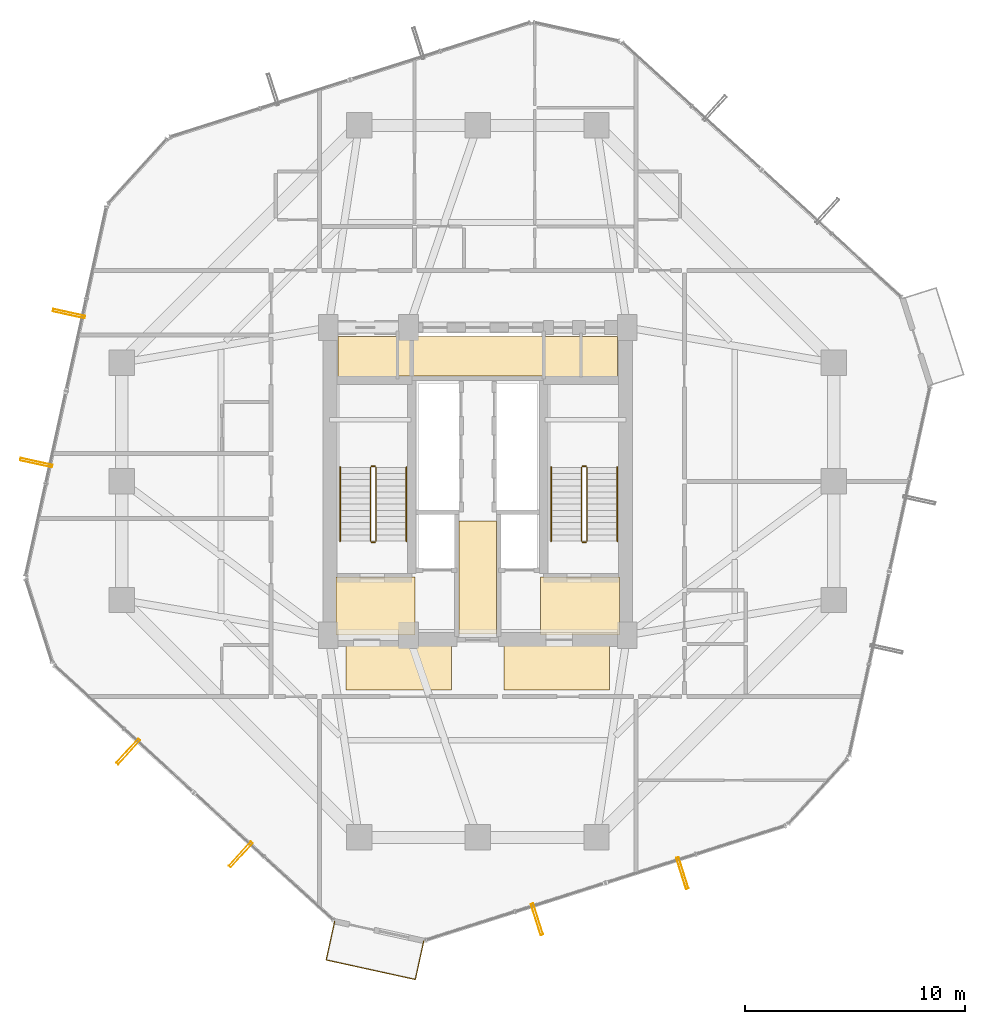
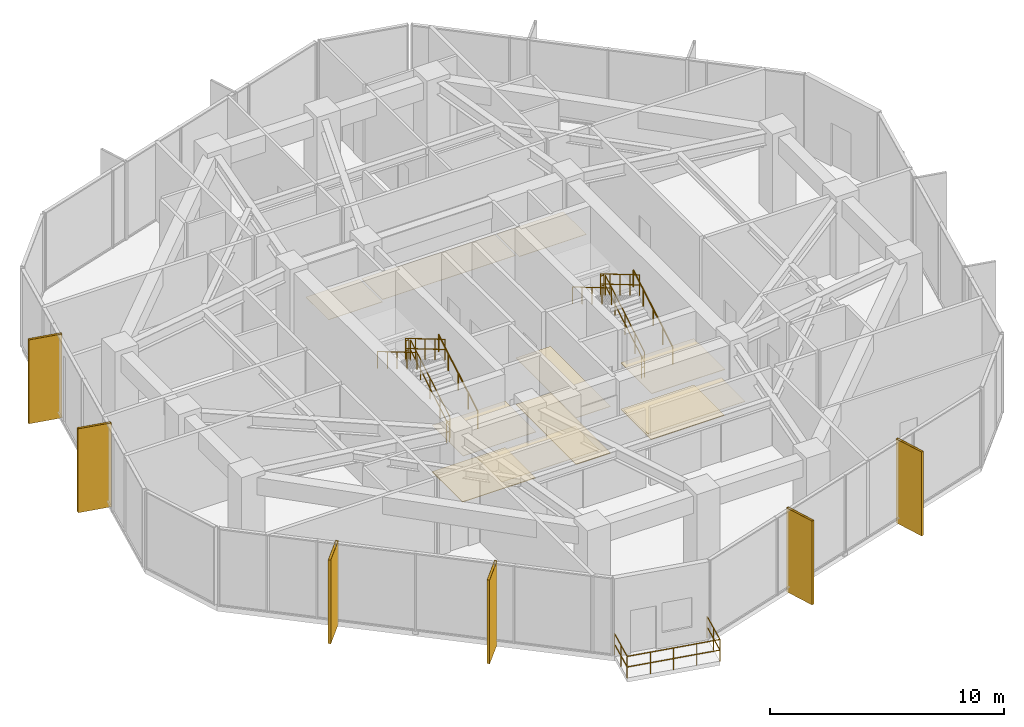
# One storey, part 27 of 28: 13 railings, 11 coverings, 6 shading devices.
"""IFC4 building model written with IfcOpenShell, lengths in metres."""

from ifc_helpers import new_model, si_unit, direction, frame, origin, origin_2d, place, context, subcontext, project, spatial, polyline, hollow_rectangle, circle, outline, extrude, material, layer, layer_set, material_profile, profile_set, type_object, element, save


model = new_model("IFC4")

# Units and contexts
model_context = context("Model", 3, precision=1e-05, world=origin(), true_north=direction((0.0, 1.0)))
body_context = subcontext(model_context, "Body", "Model", "MODEL_VIEW")
ifc_project = project(units=[si_unit("LENGTHUNIT", "METRE"), si_unit("AREAUNIT", "SQUARE_METRE"), si_unit("VOLUMEUNIT", "CUBIC_METRE"), si_unit("PLANEANGLEUNIT", "RADIAN"), si_unit("MASSUNIT", "GRAM", prefix="KILO")], contexts=[model_context])

# Site, building, storey
site_placement = place(None, origin())
site = spatial("IfcSite", under=ifc_project, at=site_placement, CompositionType="ELEMENT")
building_placement = place(site_placement, origin())
building = spatial("IfcBuilding", under=site, at=building_placement, Name="Veraguas Prism Commons", CompositionType="ELEMENT")
storey_placement = place(building_placement, frame((0.0, 0.0, 85.14990234375)))
storey = spatial("IfcBuildingStorey", under=building, at=storey_placement, Name="L23", CompositionType="ELEMENT", Elevation=85.14990234375)

# Shading devices
ifc_material_1 = material(Name="Anodised aluminium EN AW-6063 T6", Category="aluminium")
ifc_material_profile = material_profile(ifc_material_1, hollow_rectangle(XDim=0.1201171875, YDim=1.489990234375, WallThickness=0.006103515625, at=origin_2d()), Name="FIN120X1490X6")
ifc_profile_set = profile_set([ifc_material_profile], Name="Anodised aluminium EN AW-6063 T6")
shading_device_type = type_object("IfcShadingDeviceType", Name="Deep Pale-Metal Vertical Solar Fin 120x1490", PredefinedType="USERDEFINED", material=ifc_profile_set)
for number, where, z_axis, x_axis, name in (
    (1, (5.39453125, 31.63037109375, -0.2998046875), (0.0, 0.0, 1.0), (-0.214050019261, -0.976822701034, 0.0), "Vertical Pale-Metal Solar Fin L23-F3A"),
    (2, (3.90869140625, 24.849365234375, -0.2998046875), (0.0, 0.0, 1.0), (-0.214050019261, -0.976822701034, 0.0), "Vertical Pale-Metal Solar Fin L23-F3B"),
    (3, (8.08935546875, 11.702392578125, -0.2998046875), (0.0, 0.0, 1.0), (0.738924736523, -0.673787973887, 0.0), "Vertical Pale-Metal Solar Fin L23-F4A"),
    (4, (13.21875, 7.025146484375, -0.2998046875), (0.0, 0.0, 1.0), (0.738924736523, -0.673787973887, 0.0), "Vertical Pale-Metal Solar Fin L23-F4B"),
    (5, (26.694580078125, 4.072021484375, -0.2998046875), (0.0, 0.0, 1.0), (0.952978812619, 0.303036932895, 0.0), "Vertical Pale-Metal Solar Fin L23-F5A"),
    (6, (33.31005859375, 6.17578125, -0.2998046875), (0.0, 0.0, 1.0), (0.952978812619, 0.303036932895, 0.0), "Vertical Pale-Metal Solar Fin L23-F5B"),
):
    element("IfcShadingDevice", number, at=place(storey_placement, frame(where, z_axis=z_axis, x_axis=x_axis)), inside=storey, type_object=shading_device_type, Name=name, ObjectType="FIN", PredefinedType="USERDEFINED", context=body_context, shape_type="SweptSolid", body=[
        extrude(hollow_rectangle(XDim=0.1201171875, YDim=1.489990234375, WallThickness=0.006103515625, at=origin_2d()), origin(), (0.0, 0.0, 1.0), 4.369873046875),
    ])

# Coverings
ifc_material_2 = material(Name="Acoustic gypsum board")
ifc_layer_1 = layer(ifc_material_2, 0.02490234375, Name="Perforated Acoustic Ceiling Tile 25")
ifc_layer_set_1 = layer_set([ifc_layer_1], Name="Acoustic gypsum board")
covering_type_1 = type_object("IfcCoveringType", Name="Perforated Acoustic Ceiling Tile 25", PredefinedType="USERDEFINED", material=ifc_layer_set_1)
covering_1_placement = place(storey_placement, frame((0.0, 0.0, 2.425048828125)))
element("IfcCovering", 7, at=covering_1_placement, inside=storey, type_object=covering_type_1, Name="East Lobby Acoustic Ceiling L23", ObjectType="ACOUSTIC CEILING", PredefinedType="USERDEFINED", context=body_context, shape_type="SweptSolid", body=[
    extrude(outline(polyline([(26.85009765625, 17.0), (30.449951171875, 17.0), (30.449951171875, 19.64990234375), (26.85009765625, 19.64990234375), (26.85009765625, 17.0)])), origin(), (0.0, 0.0, 1.0), 0.025146484375),
])
ifc_material_3 = material(Name="Terrazzo stone finish", Category="masonry")
ifc_layer_2 = layer(ifc_material_3, 0.030029296875, Name="Polished Terrazzo Floor Finish 30", Category="masonry")
ifc_layer_set_2 = layer_set([ifc_layer_2], Name="Terrazzo stone finish")
covering_type_2 = type_object("IfcCoveringType", Name="Polished Terrazzo Floor Finish 30", PredefinedType="FLOORING", material=ifc_layer_set_2)
covering_2_placement = place(storey_placement, origin())
element("IfcCovering", 8, at=covering_2_placement, inside=storey, type_object=covering_type_2, Name="Terrazzo Lobby Flooring L23", PredefinedType="FLOORING", context=body_context, shape_type="SweptSolid", body=[
    extrude(outline(polyline([(23.14990234375, 17.050048828125), (24.85009765625, 17.050048828125), (24.85009765625, 22.199951171875), (23.14990234375, 22.199951171875), (23.14990234375, 17.050048828125)])), origin(), (0.0, 0.0, 1.0), 0.030029296875),
])
covering_3_placement = place(storey_placement, origin())
element("IfcCovering", 9, at=covering_3_placement, inside=storey, type_object=covering_type_2, Name="West FF Lobby Terrazzo Flooring L23", PredefinedType="FLOORING", context=body_context, shape_type="SweptSolid", body=[
    extrude(outline(polyline([(17.550048828125, 17.050048828125), (21.14990234375, 17.050048828125), (21.14990234375, 19.64990234375), (17.550048828125, 19.64990234375), (17.550048828125, 17.050048828125)])), origin(), (0.0, 0.0, 1.0), 0.030029296875),
])
covering_4_placement = place(storey_placement, origin())
element("IfcCovering", 10, at=covering_4_placement, inside=storey, type_object=covering_type_2, Name="East FF Lobby Terrazzo Flooring L23", PredefinedType="FLOORING", context=body_context, shape_type="SweptSolid", body=[
    extrude(outline(polyline([(26.85009765625, 17.050048828125), (30.449951171875, 17.050048828125), (30.449951171875, 19.64990234375), (26.85009765625, 19.64990234375), (26.85009765625, 17.050048828125)])), origin(), (0.0, 0.0, 1.0), 0.030029296875),
])

# Railings
ifc_material_4 = material(Name="Stainless steel AISI 316", Category="steel")
railing_type_1 = type_object("IfcRailingType", Name="Setback and Wind Portal Guardrail 1150", PredefinedType="GUARDRAIL", material=ifc_material_4)
railing_1_placement = place(storey_placement, frame((17.48681640625, 3.97900390625, 0.0)))
element("IfcRailing", 11, at=railing_1_placement, inside=storey, type_object=railing_type_1, Name="Setback Sky Terrace L23 Guard", PredefinedType="GUARDRAIL", context=body_context, shape_type="SweptSolid", body=[
    extrude(circle(Radius=0.02392578125, at=origin_2d()), frame((0.0, 0.0, 1.1259765625), z_axis=(-0.214028553775, -0.976827404493, 0.0), x_axis=(0.976827404493, -0.214028553775, 0.0)), (0.0, 0.0, 1.0), 1.800048828125),
    extrude(circle(Radius=0.02392578125, at=origin_2d()), frame((0.0, 0.0, 0.574951171875), z_axis=(-0.214028553775, -0.976827404493, 0.0), x_axis=(0.976827404493, -0.214028553775, 0.0)), (0.0, 0.0, 1.0), 1.800048828125),
    extrude(circle(Radius=0.02392578125, at=origin_2d()), frame((-0.38525390625, -1.75830078125, 1.1259765625), z_axis=(0.976825943724, -0.214035220623, 0.0), x_axis=(0.214035220623, 0.976825943724, 0.0)), (0.0, 0.0, 1.0), 4.153076171875),
    extrude(circle(Radius=0.02392578125, at=origin_2d()), frame((-0.38525390625, -1.75830078125, 0.574951171875), z_axis=(0.976825943724, -0.214035220623, 0.0), x_axis=(0.214035220623, 0.976825943724, 0.0)), (0.0, 0.0, 1.0), 4.153076171875),
    extrude(circle(Radius=0.02392578125, at=origin_2d()), frame((3.671630859375, -2.647216796875, 1.1259765625), z_axis=(0.214028553775, 0.976827404493, 0.0), x_axis=(-0.976827404493, 0.214028553775, 0.0)), (0.0, 0.0, 1.0), 1.800048828125),
    extrude(circle(Radius=0.02392578125, at=origin_2d()), frame((3.671630859375, -2.647216796875, 0.574951171875), z_axis=(0.214028553775, 0.976827404493, 0.0), x_axis=(-0.976827404493, 0.214028553775, 0.0)), (0.0, 0.0, 1.0), 1.800048828125),
    extrude(circle(Radius=0.02099609375, at=origin_2d()), origin(), (0.0, 0.0, 1.0), 1.101806640625),
    extrude(circle(Radius=0.02099609375, at=origin_2d()), frame((-0.192626953125, -0.879150390625, 0.0)), (0.0, 0.0, 1.0), 1.101806640625),
    extrude(circle(Radius=0.02099609375, at=origin_2d()), frame((-0.38525390625, -1.75830078125, 0.0)), (0.0, 0.0, 1.0), 1.101806640625),
    extrude(circle(Radius=0.02099609375, at=origin_2d()), frame((0.62890625, -1.98046875, 0.0)), (0.0, 0.0, 1.0), 1.101806640625),
    extrude(circle(Radius=0.02099609375, at=origin_2d()), frame((1.64306640625, -2.20263671875, 0.0)), (0.0, 0.0, 1.0), 1.101806640625),
    extrude(circle(Radius=0.02099609375, at=origin_2d()), frame((2.657470703125, -2.425048828125, 0.0)), (0.0, 0.0, 1.0), 1.101806640625),
    extrude(circle(Radius=0.02099609375, at=origin_2d()), frame((3.671630859375, -2.647216796875, 0.0)), (0.0, 0.0, 1.0), 1.101806640625),
    extrude(circle(Radius=0.02099609375, at=origin_2d()), frame((3.8642578125, -1.76806640625, 0.0)), (0.0, 0.0, 1.0), 1.101806640625),
    extrude(circle(Radius=0.02099609375, at=origin_2d()), frame((4.056884765625, -0.888916015625, 0.0)), (0.0, 0.0, 1.0), 1.101806640625),
])
railing_type_2 = type_object("IfcRailingType", Name="Stair and Ramp Stainless Handrail 900", PredefinedType="HANDRAIL", material=ifc_material_4)
railing_2_placement = place(storey_placement, frame((20.75, 21.280029296875, 0.16552734375)))
element("IfcRailing", 12, at=railing_2_placement, inside=storey, type_object=railing_type_2, Name="Stair Handrail ST-01 L23-1", PredefinedType="HANDRAIL", context=body_context, shape_type="SweptSolid", body=[
    extrude(circle(Radius=0.02392578125, at=origin_2d()), frame((0.0, 0.0, 0.8759765625), z_axis=(0.0, 0.861011212953, 0.508585972249), x_axis=(-1.0, 0.0, 0.0)), (0.0, 0.0, 1.0), 3.90234375),
    extrude(circle(Radius=0.02099609375, at=origin_2d()), origin(), (0.0, 0.0, 1.0), 0.851806640625),
    extrude(circle(Radius=0.02099609375, at=origin_2d()), frame((0.0, 0.83984375, 0.49609375)), (0.0, 0.0, 1.0), 0.851806640625),
    extrude(circle(Radius=0.02099609375, at=origin_2d()), frame((0.0, 1.679931640625, 0.9921875)), (0.0, 0.0, 1.0), 0.851806640625),
    extrude(circle(Radius=0.02099609375, at=origin_2d()), frame((0.0, 2.52001953125, 1.488525390625)), (0.0, 0.0, 1.0), 0.851806640625),
    extrude(circle(Radius=0.02099609375, at=origin_2d()), frame((0.0, 3.35986328125, 1.984619140625)), (0.0, 0.0, 1.0), 0.851806640625),
])
railing_3_placement = place(storey_placement, frame((17.739990234375, 24.639892578125, 2.3154296875)))
element("IfcRailing", 13, at=railing_3_placement, inside=storey, type_object=railing_type_2, Name="Stair Handrail ST-01 L23-2", PredefinedType="HANDRAIL", context=body_context, shape_type="SweptSolid", body=[
    extrude(circle(Radius=0.02392578125, at=origin_2d()), frame((0.0, 0.0, 0.8759765625), z_axis=(0.0, -0.861011212953, 0.508585972249), x_axis=(1.0, 0.0, 0.0)), (0.0, 0.0, 1.0), 3.90234375),
    extrude(circle(Radius=0.02099609375, at=origin_2d()), origin(), (0.0, 0.0, 1.0), 0.851806640625),
    extrude(circle(Radius=0.02099609375, at=origin_2d()), frame((0.0, -0.83984375, 0.49609375)), (0.0, 0.0, 1.0), 0.851806640625),
    extrude(circle(Radius=0.02099609375, at=origin_2d()), frame((0.0, -1.679931640625, 0.9921875)), (0.0, 0.0, 1.0), 0.851806640625),
    extrude(circle(Radius=0.02099609375, at=origin_2d()), frame((0.0, -2.52001953125, 1.488525390625)), (0.0, 0.0, 1.0), 0.851806640625),
    extrude(circle(Radius=0.02099609375, at=origin_2d()), frame((0.0, -3.35986328125, 1.984619140625)), (0.0, 0.0, 1.0), 0.851806640625),
])
railing_4_placement = place(storey_placement, frame((30.35009765625, 21.280029296875, 0.16552734375)))
element("IfcRailing", 14, at=railing_4_placement, inside=storey, type_object=railing_type_2, Name="Stair Handrail ST-02 L23-1", PredefinedType="HANDRAIL", context=body_context, shape_type="SweptSolid", body=[
    extrude(circle(Radius=0.02392578125, at=origin_2d()), frame((0.0, 0.0, 0.8759765625), z_axis=(0.0, 0.861011212953, 0.508585972249), x_axis=(-1.0, 0.0, 0.0)), (0.0, 0.0, 1.0), 3.90234375),
    extrude(circle(Radius=0.02099609375, at=origin_2d()), origin(), (0.0, 0.0, 1.0), 0.851806640625),
    extrude(circle(Radius=0.02099609375, at=origin_2d()), frame((0.0, 0.83984375, 0.49609375)), (0.0, 0.0, 1.0), 0.851806640625),
    extrude(circle(Radius=0.02099609375, at=origin_2d()), frame((0.0, 1.679931640625, 0.9921875)), (0.0, 0.0, 1.0), 0.851806640625),
    extrude(circle(Radius=0.02099609375, at=origin_2d()), frame((0.0, 2.52001953125, 1.488525390625)), (0.0, 0.0, 1.0), 0.851806640625),
    extrude(circle(Radius=0.02099609375, at=origin_2d()), frame((0.0, 3.35986328125, 1.984619140625)), (0.0, 0.0, 1.0), 0.851806640625),
])
railing_5_placement = place(storey_placement, frame((27.340087890625, 24.639892578125, 2.3154296875)))
element("IfcRailing", 15, at=railing_5_placement, inside=storey, type_object=railing_type_2, Name="Stair Handrail ST-02 L23-2", PredefinedType="HANDRAIL", context=body_context, shape_type="SweptSolid", body=[
    extrude(circle(Radius=0.02392578125, at=origin_2d()), frame((0.0, 0.0, 0.8759765625), z_axis=(0.0, -0.861011212953, 0.508585972249), x_axis=(1.0, 0.0, 0.0)), (0.0, 0.0, 1.0), 3.90234375),
    extrude(circle(Radius=0.02099609375, at=origin_2d()), origin(), (0.0, 0.0, 1.0), 0.851806640625),
    extrude(circle(Radius=0.02099609375, at=origin_2d()), frame((0.0, -0.83984375, 0.49609375)), (0.0, 0.0, 1.0), 0.851806640625),
    extrude(circle(Radius=0.02099609375, at=origin_2d()), frame((0.0, -1.679931640625, 0.9921875)), (0.0, 0.0, 1.0), 0.851806640625),
    extrude(circle(Radius=0.02099609375, at=origin_2d()), frame((0.0, -2.52001953125, 1.488525390625)), (0.0, 0.0, 1.0), 0.851806640625),
    extrude(circle(Radius=0.02099609375, at=origin_2d()), frame((0.0, -3.35986328125, 1.984619140625)), (0.0, 0.0, 1.0), 0.851806640625),
])
railing_type_3 = type_object("IfcRailingType", Name="Stairwell Safety Guardrail 1100", PredefinedType="GUARDRAIL", material=ifc_material_4)
railing_6_placement = place(storey_placement, frame((19.3701171875, 21.280029296875, 0.16552734375)))
element("IfcRailing", 16, at=railing_6_placement, inside=storey, type_object=railing_type_3, Name="Stair Guard ST-01 L23-1", PredefinedType="GUARDRAIL", context=body_context, shape_type="SweptSolid", body=[
    extrude(circle(Radius=0.02392578125, at=origin_2d()), frame((0.0, 0.0, 1.076171875), z_axis=(0.0, 0.861011212953, 0.508585972249), x_axis=(-1.0, 0.0, 0.0)), (0.0, 0.0, 1.0), 3.90234375),
    extrude(circle(Radius=0.02392578125, at=origin_2d()), frame((0.0, 0.0, 0.550048828125), z_axis=(0.0, 0.861011212953, 0.508585972249), x_axis=(-1.0, 0.0, 0.0)), (0.0, 0.0, 1.0), 3.90234375),
    extrude(circle(Radius=0.02099609375, at=origin_2d()), origin(), (0.0, 0.0, 1.0), 1.052001953125),
    extrude(circle(Radius=0.02099609375, at=origin_2d()), frame((0.0, 0.83984375, 0.49609375)), (0.0, 0.0, 1.0), 1.052001953125),
    extrude(circle(Radius=0.02099609375, at=origin_2d()), frame((0.0, 1.679931640625, 0.9921875)), (0.0, 0.0, 1.0), 1.052001953125),
    extrude(circle(Radius=0.02099609375, at=origin_2d()), frame((0.0, 2.52001953125, 1.488525390625)), (0.0, 0.0, 1.0), 1.052001953125),
    extrude(circle(Radius=0.02099609375, at=origin_2d()), frame((0.0, 3.35986328125, 1.984619140625)), (0.0, 0.0, 1.0), 1.052001953125),
])
railing_7_placement = place(storey_placement, frame((19.320068359375, 24.68994140625, 2.150146484375)))
element("IfcRailing", 17, at=railing_7_placement, inside=storey, type_object=railing_type_3, Name="Stair Guard ST-01 L23-2", PredefinedType="GUARDRAIL", context=body_context, shape_type="SweptSolid", body=[
    extrude(circle(Radius=0.02392578125, at=origin_2d()), frame((0.0, 0.0, 1.076171875), z_axis=(-1.0, 0.0, 0.0), x_axis=(0.0, -1.0, 0.0)), (0.0, 0.0, 1.0), 0.150146484375),
    extrude(circle(Radius=0.02392578125, at=origin_2d()), frame((0.0, 0.0, 0.550048828125), z_axis=(-1.0, 0.0, 0.0), x_axis=(0.0, -1.0, 0.0)), (0.0, 0.0, 1.0), 0.150146484375),
    extrude(circle(Radius=0.02099609375, at=origin_2d()), origin(), (0.0, 0.0, 1.0), 1.052001953125),
    extrude(circle(Radius=0.02099609375, at=origin_2d()), frame((-0.150146484375, 0.0, 0.0)), (0.0, 0.0, 1.0), 1.052001953125),
])
railing_8_placement = place(storey_placement, frame((19.1201171875, 24.639892578125, 2.3154296875)))
element("IfcRailing", 18, at=railing_8_placement, inside=storey, type_object=railing_type_3, Name="Stair Guard ST-01 L23-3", PredefinedType="GUARDRAIL", context=body_context, shape_type="SweptSolid", body=[
    extrude(circle(Radius=0.02392578125, at=origin_2d()), frame((0.0, 0.0, 1.076171875), z_axis=(0.0, -0.861011212953, 0.508585972249), x_axis=(1.0, 0.0, 0.0)), (0.0, 0.0, 1.0), 3.90234375),
    extrude(circle(Radius=0.02392578125, at=origin_2d()), frame((0.0, 0.0, 0.550048828125), z_axis=(0.0, -0.861011212953, 0.508585972249), x_axis=(1.0, 0.0, 0.0)), (0.0, 0.0, 1.0), 3.90234375),
    extrude(circle(Radius=0.02099609375, at=origin_2d()), origin(), (0.0, 0.0, 1.0), 1.052001953125),
    extrude(circle(Radius=0.02099609375, at=origin_2d()), frame((0.0, -0.83984375, 0.49609375)), (0.0, 0.0, 1.0), 1.052001953125),
    extrude(circle(Radius=0.02099609375, at=origin_2d()), frame((0.0, -1.679931640625, 0.9921875)), (0.0, 0.0, 1.0), 1.052001953125),
    extrude(circle(Radius=0.02099609375, at=origin_2d()), frame((0.0, -2.52001953125, 1.488525390625)), (0.0, 0.0, 1.0), 1.052001953125),
    extrude(circle(Radius=0.02099609375, at=origin_2d()), frame((0.0, -3.35986328125, 1.984619140625)), (0.0, 0.0, 1.0), 1.052001953125),
])
railing_9_placement = place(storey_placement, frame((19.320068359375, 21.22998046875, 0.0)))
element("IfcRailing", 19, at=railing_9_placement, inside=storey, type_object=railing_type_3, Name="Stair Guard ST-01 L23-4", PredefinedType="GUARDRAIL", context=body_context, shape_type="SweptSolid", body=[
    extrude(circle(Radius=0.02392578125, at=origin_2d()), frame((0.0, 0.0, 1.076171875), z_axis=(-1.0, 0.0, 0.0), x_axis=(0.0, -1.0, 0.0)), (0.0, 0.0, 1.0), 0.150146484375),
    extrude(circle(Radius=0.02392578125, at=origin_2d()), frame((0.0, 0.0, 0.550048828125), z_axis=(-1.0, 0.0, 0.0), x_axis=(0.0, -1.0, 0.0)), (0.0, 0.0, 1.0), 0.150146484375),
    extrude(circle(Radius=0.02099609375, at=origin_2d()), origin(), (0.0, 0.0, 1.0), 1.052001953125),
    extrude(circle(Radius=0.02099609375, at=origin_2d()), frame((-0.150146484375, 0.0, 0.0)), (0.0, 0.0, 1.0), 1.052001953125),
])
railing_10_placement = place(storey_placement, frame((28.969970703125, 21.280029296875, 0.16552734375)))
element("IfcRailing", 20, at=railing_10_placement, inside=storey, type_object=railing_type_3, Name="Stair Guard ST-02 L23-1", PredefinedType="GUARDRAIL", context=body_context, shape_type="SweptSolid", body=[
    extrude(circle(Radius=0.02392578125, at=origin_2d()), frame((0.0, 0.0, 1.076171875), z_axis=(0.0, 0.861011212953, 0.508585972249), x_axis=(-1.0, 0.0, 0.0)), (0.0, 0.0, 1.0), 3.90234375),
    extrude(circle(Radius=0.02392578125, at=origin_2d()), frame((0.0, 0.0, 0.550048828125), z_axis=(0.0, 0.861011212953, 0.508585972249), x_axis=(-1.0, 0.0, 0.0)), (0.0, 0.0, 1.0), 3.90234375),
    extrude(circle(Radius=0.02099609375, at=origin_2d()), origin(), (0.0, 0.0, 1.0), 1.052001953125),
    extrude(circle(Radius=0.02099609375, at=origin_2d()), frame((0.0, 0.83984375, 0.49609375)), (0.0, 0.0, 1.0), 1.052001953125),
    extrude(circle(Radius=0.02099609375, at=origin_2d()), frame((0.0, 1.679931640625, 0.9921875)), (0.0, 0.0, 1.0), 1.052001953125),
    extrude(circle(Radius=0.02099609375, at=origin_2d()), frame((0.0, 2.52001953125, 1.488525390625)), (0.0, 0.0, 1.0), 1.052001953125),
    extrude(circle(Radius=0.02099609375, at=origin_2d()), frame((0.0, 3.35986328125, 1.984619140625)), (0.0, 0.0, 1.0), 1.052001953125),
])
railing_11_placement = place(storey_placement, frame((28.919921875, 24.68994140625, 2.150146484375)))
element("IfcRailing", 21, at=railing_11_placement, inside=storey, type_object=railing_type_3, Name="Stair Guard ST-02 L23-2", PredefinedType="GUARDRAIL", context=body_context, shape_type="SweptSolid", body=[
    extrude(circle(Radius=0.02392578125, at=origin_2d()), frame((0.0, 0.0, 1.076171875), z_axis=(-1.0, 0.0, 0.0), x_axis=(0.0, -1.0, 0.0)), (0.0, 0.0, 1.0), 0.14990234375),
    extrude(circle(Radius=0.02392578125, at=origin_2d()), frame((0.0, 0.0, 0.550048828125), z_axis=(-1.0, 0.0, 0.0), x_axis=(0.0, -1.0, 0.0)), (0.0, 0.0, 1.0), 0.14990234375),
    extrude(circle(Radius=0.02099609375, at=origin_2d()), origin(), (0.0, 0.0, 1.0), 1.052001953125),
    extrude(circle(Radius=0.02099609375, at=origin_2d()), frame((-0.14990234375, 0.0, 0.0)), (0.0, 0.0, 1.0), 1.052001953125),
])
railing_12_placement = place(storey_placement, frame((28.719970703125, 24.639892578125, 2.3154296875)))
element("IfcRailing", 22, at=railing_12_placement, inside=storey, type_object=railing_type_3, Name="Stair Guard ST-02 L23-3", PredefinedType="GUARDRAIL", context=body_context, shape_type="SweptSolid", body=[
    extrude(circle(Radius=0.02392578125, at=origin_2d()), frame((0.0, 0.0, 1.076171875), z_axis=(0.0, -0.861011212953, 0.508585972249), x_axis=(1.0, 0.0, 0.0)), (0.0, 0.0, 1.0), 3.90234375),
    extrude(circle(Radius=0.02392578125, at=origin_2d()), frame((0.0, 0.0, 0.550048828125), z_axis=(0.0, -0.861011212953, 0.508585972249), x_axis=(1.0, 0.0, 0.0)), (0.0, 0.0, 1.0), 3.90234375),
    extrude(circle(Radius=0.02099609375, at=origin_2d()), origin(), (0.0, 0.0, 1.0), 1.052001953125),
    extrude(circle(Radius=0.02099609375, at=origin_2d()), frame((0.0, -0.83984375, 0.49609375)), (0.0, 0.0, 1.0), 1.052001953125),
    extrude(circle(Radius=0.02099609375, at=origin_2d()), frame((0.0, -1.679931640625, 0.9921875)), (0.0, 0.0, 1.0), 1.052001953125),
    extrude(circle(Radius=0.02099609375, at=origin_2d()), frame((0.0, -2.52001953125, 1.488525390625)), (0.0, 0.0, 1.0), 1.052001953125),
    extrude(circle(Radius=0.02099609375, at=origin_2d()), frame((0.0, -3.35986328125, 1.984619140625)), (0.0, 0.0, 1.0), 1.052001953125),
])
railing_13_placement = place(storey_placement, frame((28.919921875, 21.22998046875, 0.0)))
element("IfcRailing", 23, at=railing_13_placement, inside=storey, type_object=railing_type_3, Name="Stair Guard ST-02 L23-4", PredefinedType="GUARDRAIL", context=body_context, shape_type="SweptSolid", body=[
    extrude(circle(Radius=0.02392578125, at=origin_2d()), frame((0.0, 0.0, 1.076171875), z_axis=(-1.0, 0.0, 0.0), x_axis=(0.0, -1.0, 0.0)), (0.0, 0.0, 1.0), 0.14990234375),
    extrude(circle(Radius=0.02392578125, at=origin_2d()), frame((0.0, 0.0, 0.550048828125), z_axis=(-1.0, 0.0, 0.0), x_axis=(0.0, -1.0, 0.0)), (0.0, 0.0, 1.0), 0.14990234375),
    extrude(circle(Radius=0.02099609375, at=origin_2d()), origin(), (0.0, 0.0, 1.0), 1.052001953125),
    extrude(circle(Radius=0.02099609375, at=origin_2d()), frame((-0.14990234375, 0.0, 0.0)), (0.0, 0.0, 1.0), 1.052001953125),
])

# Coverings
ifc_layer_3 = layer(ifc_material_2, 0.02001953125, Name="Suspended Gypsum Ceiling 20")
ifc_layer_set_3 = layer_set([ifc_layer_3], Name="Acoustic gypsum board")
covering_type_3 = type_object("IfcCoveringType", Name="Suspended Gypsum Ceiling 20", PredefinedType="CEILING", material=ifc_layer_set_3)
covering_5_placement = place(storey_placement, frame((0.0, 0.0, 2.43017578125)))
element("IfcCovering", 24, at=covering_5_placement, inside=storey, type_object=covering_type_3, Name="West Lobby Suspended Gypsum Ceiling L23", PredefinedType="CEILING", context=body_context, shape_type="SweptSolid", body=[
    extrude(outline(polyline([(17.550048828125, 17.0), (21.14990234375, 17.0), (21.14990234375, 19.64990234375), (17.550048828125, 19.64990234375), (17.550048828125, 17.0)])), origin(), (0.0, 0.0, 1.0), 0.02001953125),
])
covering_6_placement = place(storey_placement, frame((0.0, 0.0, 2.43017578125)))
element("IfcCovering", 25, at=covering_6_placement, inside=storey, type_object=covering_type_3, Name="Core Lobby Acoustic Ceiling L23-1", PredefinedType="CEILING", context=body_context, shape_type="SweptSolid", body=[
    extrude(outline(polyline([(18.0, 14.5), (22.800048828125, 14.5), (22.800048828125, 16.550048828125), (18.0, 16.550048828125), (18.0, 14.5)])), origin(), (0.0, 0.0, 1.0), 0.02001953125),
])
covering_7_placement = place(storey_placement, frame((0.0, 0.0, 2.43017578125)))
element("IfcCovering", 26, at=covering_7_placement, inside=storey, type_object=covering_type_3, Name="Core Lobby Acoustic Ceiling L23-2", PredefinedType="CEILING", context=body_context, shape_type="SweptSolid", body=[
    extrude(outline(polyline([(25.199951171875, 14.5), (30.0, 14.5), (30.0, 16.550048828125), (25.199951171875, 16.550048828125), (25.199951171875, 14.5)])), origin(), (0.0, 0.0, 1.0), 0.02001953125),
])
covering_8_placement = place(storey_placement, frame((0.0, 0.0, 2.43017578125)))
element("IfcCovering", 27, at=covering_8_placement, inside=storey, type_object=covering_type_3, Name="Core Lobby Acoustic Ceiling L23-3", PredefinedType="CEILING", context=body_context, shape_type="SweptSolid", body=[
    extrude(outline(polyline([(23.14990234375, 17.050048828125), (24.85009765625, 17.050048828125), (24.85009765625, 22.199951171875), (23.14990234375, 22.199951171875), (23.14990234375, 17.050048828125)])), origin(), (0.0, 0.0, 1.0), 0.02001953125),
])
covering_9_placement = place(storey_placement, frame((0.0, 0.0, 2.43017578125)))
element("IfcCovering", 28, at=covering_9_placement, inside=storey, type_object=covering_type_3, Name="Core Lobby Acoustic Ceiling L23-4", PredefinedType="CEILING", context=body_context, shape_type="SweptSolid", body=[
    extrude(outline(polyline([(17.64990234375, 28.64990234375), (20.300048828125, 28.64990234375), (20.300048828125, 30.60009765625), (17.64990234375, 30.60009765625), (17.64990234375, 28.64990234375)])), origin(), (0.0, 0.0, 1.0), 0.02001953125),
])
covering_10_placement = place(storey_placement, frame((0.0, 0.0, 2.43017578125)))
element("IfcCovering", 29, at=covering_10_placement, inside=storey, type_object=covering_type_3, Name="Core Lobby Acoustic Ceiling L23-5", PredefinedType="CEILING", context=body_context, shape_type="SweptSolid", body=[
    extrude(outline(polyline([(27.050048828125, 28.64990234375), (30.35009765625, 28.64990234375), (30.35009765625, 30.60009765625), (27.050048828125, 30.60009765625), (27.050048828125, 28.64990234375)])), origin(), (0.0, 0.0, 1.0), 0.02001953125),
])
covering_11_placement = place(storey_placement, frame((0.0, 0.0, 2.43017578125)))
element("IfcCovering", 30, at=covering_11_placement, inside=storey, type_object=covering_type_3, Name="Core Lobby Acoustic Ceiling L23-6", PredefinedType="CEILING", context=body_context, shape_type="SweptSolid", body=[
    extrude(outline(polyline([(20.39990234375, 28.800048828125), (26.949951171875, 28.800048828125), (26.949951171875, 30.60009765625), (20.39990234375, 30.60009765625), (20.39990234375, 28.800048828125)])), origin(), (0.0, 0.0, 1.0), 0.02001953125),
])

save(model, "model.ifc")
